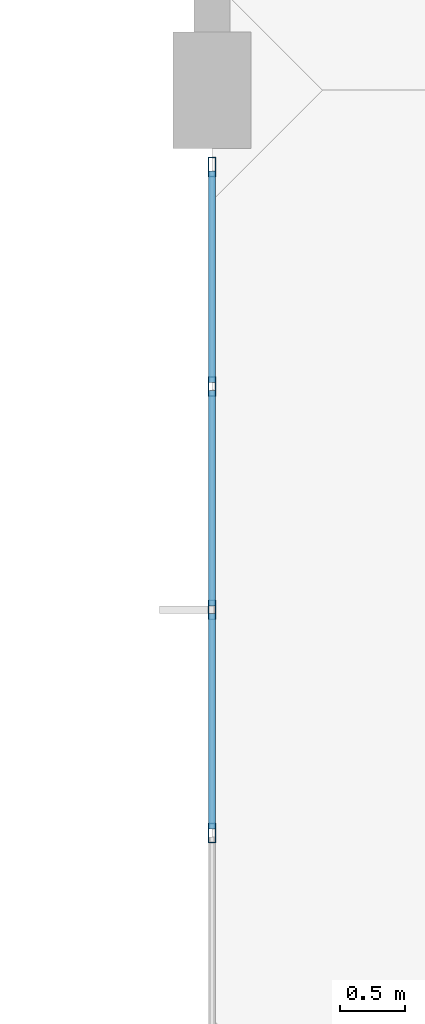
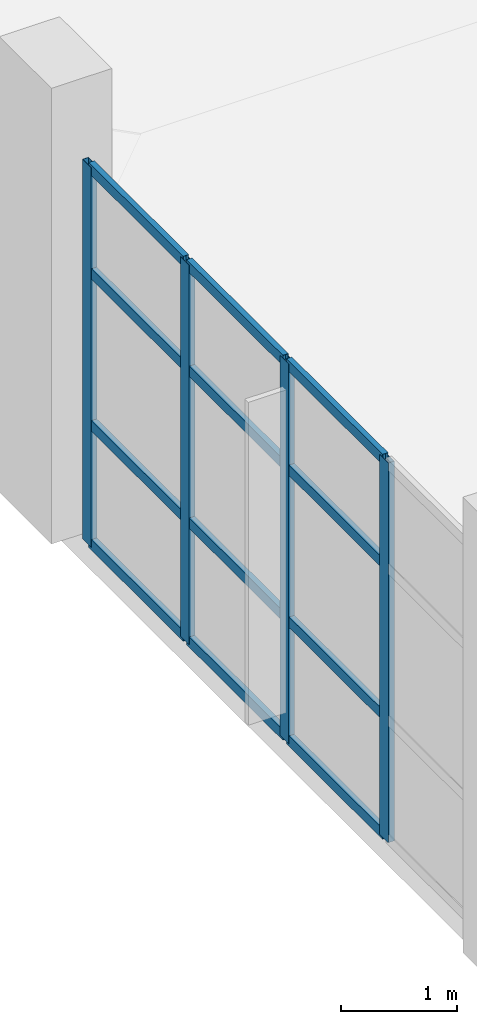
# One storey, part 18 of 63: 16 members, 1 element without a shape of its own.
"""IFC4 building model written with IfcOpenShell, lengths in metres."""

from ifc_helpers import new_model, si_unit, direction, frame, origin, origin_2d, place, context, subcontext, project, spatial, hollow_rectangle, extrude, material, layer, layer_set, material_profile, profile_set, type_object, element, aggregate, save


model = new_model("IFC4")

# Units and contexts
model_context = context("Model", 3, precision=1e-05, world=origin(), true_north=direction((0.0, 1.0)))
body_context = subcontext(model_context, "Body", "Model", "MODEL_VIEW")
ifc_project = project(units=[si_unit("LENGTHUNIT", "METRE"), si_unit("AREAUNIT", "SQUARE_METRE"), si_unit("VOLUMEUNIT", "CUBIC_METRE"), si_unit("PLANEANGLEUNIT", "RADIAN"), si_unit("MASSUNIT", "GRAM", prefix="KILO")], contexts=[model_context])

# Site, building, storey
site_placement = place(None, origin())
site = spatial("IfcSite", under=ifc_project, at=site_placement, CompositionType="ELEMENT")
building_placement = place(site_placement, origin())
building = spatial("IfcBuilding", under=site, at=building_placement, Name="Canggui Botanical Conservatory", CompositionType="ELEMENT")
storey_placement = place(building_placement, frame((0.0, 0.0, 10.199951171875)))
storey = spatial("IfcBuildingStorey", under=building, at=storey_placement, Name="L03", CompositionType="ELEMENT", Elevation=10.199951171875)

# Curtain wall, members
ifc_material = material(Name="Thermally Broken Aluminium", Category="aluminium")
ifc_layer = layer(ifc_material, 0.14990234375, Name="Thermally Broken Aluminium", Category="aluminium")
ifc_layer_set = layer_set([ifc_layer], Name="Thermally Broken Aluminium")
curtain_wall_type = type_object("IfcCurtainWallType", Name="CW-UNIT-C", PredefinedType="USERDEFINED", material=ifc_layer_set)
curtain_wall_placement = place(storey_placement, origin())
curtain_wall = element("IfcCurtainWall", 1, at=curtain_wall_placement, inside=storey, type_object=curtain_wall_type, Name="Facade Curtain Wall CW-TWR-L03-11", ObjectType="UNITISED CURTAIN WALL", PredefinedType="USERDEFINED")
ifc_material_profile_1 = material_profile(ifc_material, hollow_rectangle(XDim=0.06005859375, YDim=0.14990234375, WallThickness=0.00341796875, at=origin_2d()), Name="CWM 60x150x3.5")
ifc_profile_set_1 = profile_set([ifc_material_profile_1], Name="Thermally Broken Aluminium")
member_type_1 = type_object("IfcMemberType", Name="CWM-03", PredefinedType="MULLION", material=ifc_profile_set_1)
member_1_placement = place(storey_placement, frame((130.0, 60.280029296875, 0.0), z_axis=(0.0, 0.0, 1.0), x_axis=(-1.0, 0.0, 0.0)))
member_1 = element("IfcMember", 2, at=member_1_placement, type_object=member_type_1, Name="CW-03 mullion 2", PredefinedType="MULLION", context=body_context, shape_type="SweptSolid", body=[
    extrude(hollow_rectangle(XDim=0.06005859375, YDim=0.14990234375, WallThickness=0.00341796875, at=origin_2d()), origin(), (0.0, 0.0, 1.0), 4.0),
])
member_2_placement = place(storey_placement, frame((130.0, 62.0, 0.0), z_axis=(0.0, 0.0, 1.0), x_axis=(-1.0, 0.0, 0.0)))
member_2 = element("IfcMember", 3, at=member_2_placement, type_object=member_type_1, Name="CW-03 mullion 3", PredefinedType="MULLION", context=body_context, shape_type="SweptSolid", body=[
    extrude(hollow_rectangle(XDim=0.06005859375, YDim=0.14990234375, WallThickness=0.00341796875, at=origin_2d()), origin(), (0.0, 0.0, 1.0), 4.0),
])
member_3_placement = place(storey_placement, frame((130.0, 63.719970703125, 0.0), z_axis=(0.0, 0.0, 1.0), x_axis=(-1.0, 0.0, 0.0)))
member_3 = element("IfcMember", 4, at=member_3_placement, type_object=member_type_1, Name="CW-03 mullion 4", PredefinedType="MULLION", context=body_context, shape_type="SweptSolid", body=[
    extrude(hollow_rectangle(XDim=0.06005859375, YDim=0.14990234375, WallThickness=0.00341796875, at=origin_2d()), origin(), (0.0, 0.0, 1.0), 4.0),
])
member_4_placement = place(storey_placement, frame((130.0, 65.409912109375, 0.0), z_axis=(0.0, 0.0, 1.0), x_axis=(-1.0, 0.0, 0.0)))
member_4 = element("IfcMember", 5, at=member_4_placement, type_object=member_type_1, Name="CW-03 mullion 5", PredefinedType="MULLION", context=body_context, shape_type="SweptSolid", body=[
    extrude(hollow_rectangle(XDim=0.06005859375, YDim=0.14990234375, WallThickness=0.00341796875, at=origin_2d()), origin(), (0.0, 0.0, 1.0), 4.0),
])
ifc_material_profile_2 = material_profile(ifc_material, hollow_rectangle(XDim=0.054931640625, YDim=0.110107421875, WallThickness=0.0029296875, at=origin_2d()), Name="CWT 55x110x3")
ifc_profile_set_2 = profile_set([ifc_material_profile_2], Name="Thermally Broken Aluminium")
member_type_2 = type_object("IfcMemberType", Name="CWT-03", PredefinedType="USERDEFINED", material=ifc_profile_set_2)
member_5_placement = place(storey_placement, frame((130.0, 60.31005859375, 0.027587890625), z_axis=(0.0, 1.0, 0.0), x_axis=(-1.0, 0.0, 0.0)))
member_5 = element("IfcMember", 6, at=member_5_placement, type_object=member_type_2, Name="CW-03 transom 2.1", ObjectType="TRANSOM", PredefinedType="USERDEFINED", context=body_context, shape_type="SweptSolid", body=[
    extrude(hollow_rectangle(XDim=0.054931640625, YDim=0.110107421875, WallThickness=0.0029296875, at=origin_2d()), origin(), (0.0, 0.0, 1.0), 1.659912109375),
])
member_6_placement = place(storey_placement, frame((130.0, 60.31005859375, 1.280029296875), z_axis=(0.0, 1.0, 0.0), x_axis=(-1.0, 0.0, 0.0)))
member_6 = element("IfcMember", 7, at=member_6_placement, type_object=member_type_2, Name="CW-03 transom 2.2", ObjectType="TRANSOM", PredefinedType="USERDEFINED", context=body_context, shape_type="SweptSolid", body=[
    extrude(hollow_rectangle(XDim=0.054931640625, YDim=0.110107421875, WallThickness=0.0029296875, at=origin_2d()), origin(), (0.0, 0.0, 1.0), 1.659912109375),
])
member_7_placement = place(storey_placement, frame((130.0, 60.31005859375, 2.880126953125), z_axis=(0.0, 1.0, 0.0), x_axis=(-1.0, 0.0, 0.0)))
member_7 = element("IfcMember", 8, at=member_7_placement, type_object=member_type_2, Name="CW-03 transom 2.3", ObjectType="TRANSOM", PredefinedType="USERDEFINED", context=body_context, shape_type="SweptSolid", body=[
    extrude(hollow_rectangle(XDim=0.054931640625, YDim=0.110107421875, WallThickness=0.0029296875, at=origin_2d()), origin(), (0.0, 0.0, 1.0), 1.659912109375),
])
member_8_placement = place(storey_placement, frame((130.0, 60.31005859375, 3.97265625), z_axis=(0.0, 1.0, 0.0), x_axis=(-1.0, 0.0, 0.0)))
member_8 = element("IfcMember", 9, at=member_8_placement, type_object=member_type_2, Name="CW-03 transom 2.4", ObjectType="TRANSOM", PredefinedType="USERDEFINED", context=body_context, shape_type="SweptSolid", body=[
    extrude(hollow_rectangle(XDim=0.054931640625, YDim=0.110107421875, WallThickness=0.0029296875, at=origin_2d()), origin(), (0.0, 0.0, 1.0), 1.659912109375),
])
member_9_placement = place(storey_placement, frame((130.0, 62.030029296875, 0.027587890625), z_axis=(0.0, 1.0, 0.0), x_axis=(-1.0, 0.0, 0.0)))
member_9 = element("IfcMember", 10, at=member_9_placement, type_object=member_type_2, Name="CW-03 transom 3.1", ObjectType="TRANSOM", PredefinedType="USERDEFINED", context=body_context, shape_type="SweptSolid", body=[
    extrude(hollow_rectangle(XDim=0.054931640625, YDim=0.110107421875, WallThickness=0.0029296875, at=origin_2d()), origin(), (0.0, 0.0, 1.0), 1.659912109375),
])
member_10_placement = place(storey_placement, frame((130.0, 62.030029296875, 1.280029296875), z_axis=(0.0, 1.0, 0.0), x_axis=(-1.0, 0.0, 0.0)))
member_10 = element("IfcMember", 11, at=member_10_placement, type_object=member_type_2, Name="CW-03 transom 3.2", ObjectType="TRANSOM", PredefinedType="USERDEFINED", context=body_context, shape_type="SweptSolid", body=[
    extrude(hollow_rectangle(XDim=0.054931640625, YDim=0.110107421875, WallThickness=0.0029296875, at=origin_2d()), origin(), (0.0, 0.0, 1.0), 1.659912109375),
])
member_11_placement = place(storey_placement, frame((130.0, 62.030029296875, 2.880126953125), z_axis=(0.0, 1.0, 0.0), x_axis=(-1.0, 0.0, 0.0)))
member_11 = element("IfcMember", 12, at=member_11_placement, type_object=member_type_2, Name="CW-03 transom 3.3", ObjectType="TRANSOM", PredefinedType="USERDEFINED", context=body_context, shape_type="SweptSolid", body=[
    extrude(hollow_rectangle(XDim=0.054931640625, YDim=0.110107421875, WallThickness=0.0029296875, at=origin_2d()), origin(), (0.0, 0.0, 1.0), 1.659912109375),
])
member_12_placement = place(storey_placement, frame((130.0, 62.030029296875, 3.97265625), z_axis=(0.0, 1.0, 0.0), x_axis=(-1.0, 0.0, 0.0)))
member_12 = element("IfcMember", 13, at=member_12_placement, type_object=member_type_2, Name="CW-03 transom 3.4", ObjectType="TRANSOM", PredefinedType="USERDEFINED", context=body_context, shape_type="SweptSolid", body=[
    extrude(hollow_rectangle(XDim=0.054931640625, YDim=0.110107421875, WallThickness=0.0029296875, at=origin_2d()), origin(), (0.0, 0.0, 1.0), 1.659912109375),
])
member_13_placement = place(storey_placement, frame((130.0, 63.75, 0.027587890625), z_axis=(0.0, 1.0, 0.0), x_axis=(-1.0, 0.0, 0.0)))
member_13 = element("IfcMember", 14, at=member_13_placement, type_object=member_type_2, Name="CW-03 transom 4.1", ObjectType="TRANSOM", PredefinedType="USERDEFINED", context=body_context, shape_type="SweptSolid", body=[
    extrude(hollow_rectangle(XDim=0.054931640625, YDim=0.110107421875, WallThickness=0.0029296875, at=origin_2d()), origin(), (0.0, 0.0, 1.0), 1.6298828125),
])
member_14_placement = place(storey_placement, frame((130.0, 63.75, 1.280029296875), z_axis=(0.0, 1.0, 0.0), x_axis=(-1.0, 0.0, 0.0)))
member_14 = element("IfcMember", 15, at=member_14_placement, type_object=member_type_2, Name="CW-03 transom 4.2", ObjectType="TRANSOM", PredefinedType="USERDEFINED", context=body_context, shape_type="SweptSolid", body=[
    extrude(hollow_rectangle(XDim=0.054931640625, YDim=0.110107421875, WallThickness=0.0029296875, at=origin_2d()), origin(), (0.0, 0.0, 1.0), 1.6298828125),
])
member_15_placement = place(storey_placement, frame((130.0, 63.75, 2.880126953125), z_axis=(0.0, 1.0, 0.0), x_axis=(-1.0, 0.0, 0.0)))
member_15 = element("IfcMember", 16, at=member_15_placement, type_object=member_type_2, Name="CW-03 transom 4.3", ObjectType="TRANSOM", PredefinedType="USERDEFINED", context=body_context, shape_type="SweptSolid", body=[
    extrude(hollow_rectangle(XDim=0.054931640625, YDim=0.110107421875, WallThickness=0.0029296875, at=origin_2d()), origin(), (0.0, 0.0, 1.0), 1.6298828125),
])
member_16_placement = place(storey_placement, frame((130.0, 63.75, 3.97265625), z_axis=(0.0, 1.0, 0.0), x_axis=(-1.0, 0.0, 0.0)))
member_16 = element("IfcMember", 17, at=member_16_placement, type_object=member_type_2, Name="CW-03 transom 4.4", ObjectType="TRANSOM", PredefinedType="USERDEFINED", context=body_context, shape_type="SweptSolid", body=[
    extrude(hollow_rectangle(XDim=0.054931640625, YDim=0.110107421875, WallThickness=0.0029296875, at=origin_2d()), origin(), (0.0, 0.0, 1.0), 1.6298828125),
])
aggregate(curtain_wall, [member_1, member_2, member_3, member_4, member_5, member_6, member_7, member_8, member_9, member_10, member_11, member_12, member_13, member_14, member_15, member_16])

save(model, "model.ifc")
